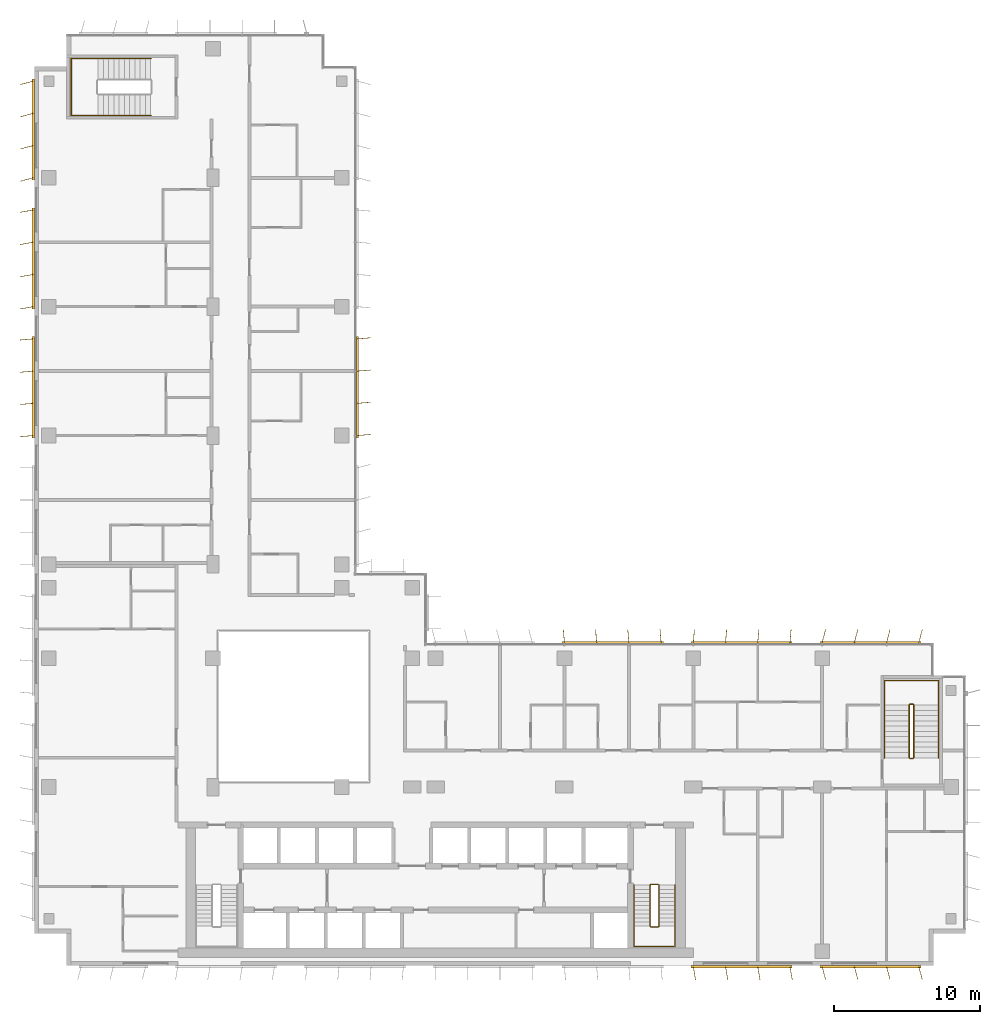
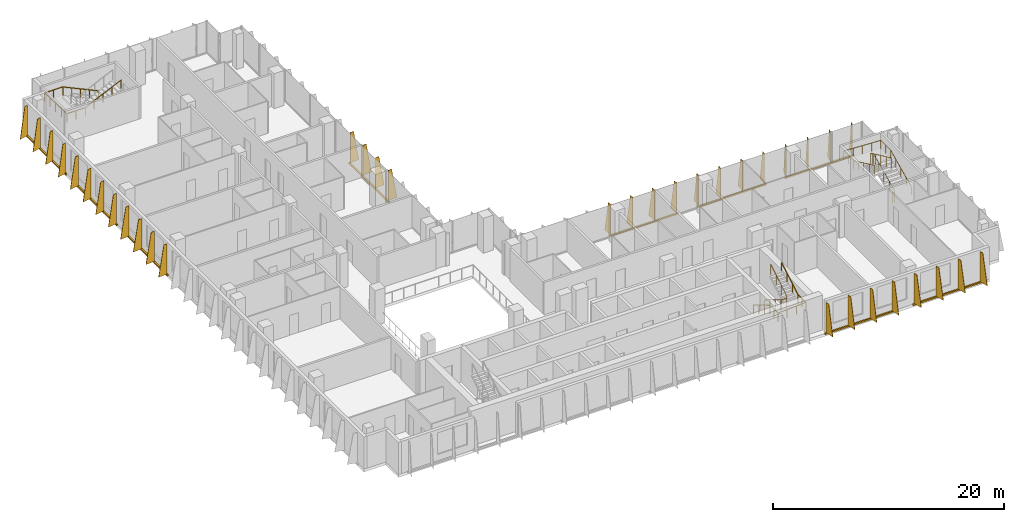
# One storey, part 20 of 21: 9 shading devices, 5 railings.
"""IFC4 building model written with IfcOpenShell, lengths in metres."""

from ifc_helpers import new_model, si_unit, direction, frame, origin, origin_2d, place, context, subcontext, project, spatial, polyline, rectangle, circle, outline, extrude, source, transform, mapped, material, layer, layer_set, type_object, element, save


model = new_model("IFC4")

# Units and contexts
model_context = context("Model", 3, precision=1e-05, world=origin(), true_north=direction((0.0, 1.0)))
body_context = subcontext(model_context, "Body", "Model", "MODEL_VIEW")
ifc_project = project(units=[si_unit("LENGTHUNIT", "METRE"), si_unit("AREAUNIT", "SQUARE_METRE"), si_unit("VOLUMEUNIT", "CUBIC_METRE"), si_unit("PLANEANGLEUNIT", "RADIAN"), si_unit("MASSUNIT", "GRAM", prefix="KILO")], contexts=[model_context])

# Site, building, storey
site_placement = place(None, origin())
site = spatial("IfcSite", under=ifc_project, at=site_placement, CompositionType="ELEMENT")
building_placement = place(site_placement, origin())
building = spatial("IfcBuilding", under=site, at=building_placement, Name="Kemantara Hotel Tower", CompositionType="ELEMENT")
storey_placement = place(building_placement, frame((0.0, 0.0, 208.0)))
storey = spatial("IfcBuildingStorey", under=building, at=storey_placement, Name="L51", CompositionType="ELEMENT", Elevation=208.0)

# Railings
ifc_material_1 = material(Name="Stainless steel balustrade", Category="steel")
railing_type_1 = type_object("IfcRailingType", Name="Stair guard 1100 mm", PredefinedType="GUARDRAIL", material=ifc_material_1)
railing_1_placement = place(storey_placement, frame((42.64990234375, 5.5, 3.699951171875)))
element("IfcRailing", 1, at=railing_1_placement, inside=storey, type_object=railing_type_1, Name="L51 ST2 stair guard 1", PredefinedType="GUARDRAIL", context=body_context, shape_type="SweptSolid", body=[
    extrude(circle(Radius=0.02392578125, at=origin_2d()), frame((0.0, 0.0, 1.076171875), z_axis=(0.0, -0.857242210791, -0.514913383045), x_axis=(1.0, 0.0, 0.0)), (0.0, 0.0, 1.0), 3.266357421875),
    extrude(circle(Radius=0.02392578125, at=origin_2d()), frame((0.0, -2.800048828125, -0.60595703125), z_axis=(-0.273343290215, -0.274683208305, -0.921863645432), x_axis=(0.708833529934, -0.705375805398, 0.0)), (0.0, 0.0, 1.0), 0.18212890625),
    extrude(circle(Radius=0.02392578125, at=origin_2d()), frame((-0.0498046875, -2.85009765625, -0.77392578125), z_axis=(-1.0, 0.0, 0.0), x_axis=(0.0, -1.0, 0.0)), (0.0, 0.0, 1.0), 0.5),
    extrude(circle(Radius=0.02392578125, at=origin_2d()), frame((-0.5498046875, -2.85009765625, -0.77392578125), z_axis=(-0.707106781187, 0.707106781187, 0.0), x_axis=(-0.707106781187, -0.707106781187, 0.0)), (0.0, 0.0, 1.0), 0.07080078125),
    extrude(circle(Radius=0.02392578125, at=origin_2d()), frame((-0.599853515625, -2.800048828125, -0.77392578125), z_axis=(0.0, 0.857242210791, -0.514913383045), x_axis=(-1.0, 0.0, 0.0)), (0.0, 0.0, 1.0), 3.266357421875),
    extrude(circle(Radius=0.02392578125, at=origin_2d()), frame((-0.599853515625, 0.0, -2.45556640625), z_axis=(0.274243871929, 0.274243871929, -0.92172696468), x_axis=(-0.707106781187, 0.707106781187, 0.0)), (0.0, 0.0, 1.0), 0.1826171875),
    extrude(circle(Radius=0.02392578125, at=origin_2d()), frame((-0.5498046875, 0.050048828125, -2.6240234375), z_axis=(1.0, 0.0, 0.0), x_axis=(0.0, 1.0, 0.0)), (0.0, 0.0, 1.0), 0.5),
    extrude(circle(Radius=0.02099609375, at=origin_2d()), origin(), (0.0, 0.0, 1.0), 1.052001953125),
    extrude(circle(Radius=0.02099609375, at=origin_2d()), frame((0.0, -0.933349609375, -0.560546875)), (0.0, 0.0, 1.0), 1.052001953125),
    extrude(circle(Radius=0.02099609375, at=origin_2d()), frame((0.0, -1.86669921875, -1.121337890625)), (0.0, 0.0, 1.0), 1.052001953125),
    extrude(circle(Radius=0.02099609375, at=origin_2d()), frame((0.0, -2.800048828125, -1.681884765625)), (0.0, 0.0, 1.0), 1.052001953125),
    extrude(circle(Radius=0.02099609375, at=origin_2d()), frame((-0.0498046875, -2.85009765625, -1.849853515625)), (0.0, 0.0, 1.0), 1.052001953125),
    extrude(circle(Radius=0.02099609375, at=origin_2d()), frame((-0.5498046875, -2.85009765625, -1.849853515625)), (0.0, 0.0, 1.0), 1.052001953125),
    extrude(circle(Radius=0.02099609375, at=origin_2d()), frame((-0.599853515625, -2.800048828125, -1.849853515625)), (0.0, 0.0, 1.0), 1.052001953125),
    extrude(circle(Radius=0.02099609375, at=origin_2d()), frame((-0.599853515625, -1.86669921875, -2.410400390625)), (0.0, 0.0, 1.0), 1.052001953125),
    extrude(circle(Radius=0.02099609375, at=origin_2d()), frame((-0.599853515625, -0.933349609375, -2.97119140625)), (0.0, 0.0, 1.0), 1.052001953125),
    extrude(circle(Radius=0.02099609375, at=origin_2d()), frame((-0.599853515625, 0.0, -3.53173828125)), (0.0, 0.0, 1.0), 1.052001953125),
    extrude(circle(Radius=0.02099609375, at=origin_2d()), frame((-0.5498046875, 0.050048828125, -3.699951171875)), (0.0, 0.0, 1.0), 1.052001953125),
    extrude(circle(Radius=0.02099609375, at=origin_2d()), frame((-0.0498046875, 0.050048828125, -3.699951171875)), (0.0, 0.0, 1.0), 1.052001953125),
])
railing_2_placement = place(storey_placement, frame((59.75, 14.199951171875, 3.699951171875)))
element("IfcRailing", 2, at=railing_2_placement, inside=storey, type_object=railing_type_1, Name="L51 ST3 stair guard 1", PredefinedType="GUARDRAIL", context=body_context, shape_type="SweptSolid", body=[
    extrude(circle(Radius=0.02392578125, at=origin_2d()), frame((0.0, 0.0, 1.076171875), z_axis=(0.0, 0.906005689286, -0.423265508849), x_axis=(-1.0, 0.0, 0.0)), (0.0, 0.0, 1.0), 3.9736328125),
    extrude(circle(Radius=0.02392578125, at=origin_2d()), frame((0.0, 3.60009765625, -0.60595703125), z_axis=(0.274582412415, 0.274582412415, -0.921525364591), x_axis=(-0.707106781187, 0.707106781187, 0.0)), (0.0, 0.0, 1.0), 0.182373046875),
    extrude(circle(Radius=0.02392578125, at=origin_2d()), frame((0.050048828125, 3.650146484375, -0.77392578125), z_axis=(1.0, 0.0, 0.0), x_axis=(0.0, 1.0, 0.0)), (0.0, 0.0, 1.0), 0.199951171875),
    extrude(circle(Radius=0.02392578125, at=origin_2d()), frame((0.25, 3.650146484375, -0.77392578125), z_axis=(0.707106781187, -0.707106781187, 0.0), x_axis=(0.707106781187, 0.707106781187, 0.0)), (0.0, 0.0, 1.0), 0.07080078125),
    extrude(circle(Radius=0.02392578125, at=origin_2d()), frame((0.300048828125, 3.60009765625, -0.77392578125), z_axis=(0.0, -0.906005689286, -0.423265508849), x_axis=(1.0, 0.0, 0.0)), (0.0, 0.0, 1.0), 3.9736328125),
    extrude(circle(Radius=0.02392578125, at=origin_2d()), frame((0.300048828125, 0.0, -2.45556640625), z_axis=(-0.274243871929, -0.274243871929, -0.92172696468), x_axis=(0.707106781187, -0.707106781187, 0.0)), (0.0, 0.0, 1.0), 0.1826171875),
    extrude(circle(Radius=0.02392578125, at=origin_2d()), frame((0.25, -0.050048828125, -2.6240234375), z_axis=(-1.0, 0.0, 0.0), x_axis=(0.0, -1.0, 0.0)), (0.0, 0.0, 1.0), 0.199951171875),
    extrude(circle(Radius=0.02099609375, at=origin_2d()), origin(), (0.0, 0.0, 1.0), 1.052001953125),
    extrude(circle(Radius=0.02099609375, at=origin_2d()), frame((0.0, 0.89990234375, -0.42041015625)), (0.0, 0.0, 1.0), 1.052001953125),
    extrude(circle(Radius=0.02099609375, at=origin_2d()), frame((0.0, 1.800048828125, -0.8408203125)), (0.0, 0.0, 1.0), 1.052001953125),
    extrude(circle(Radius=0.02099609375, at=origin_2d()), frame((0.0, 2.7001953125, -1.261474609375)), (0.0, 0.0, 1.0), 1.052001953125),
    extrude(circle(Radius=0.02099609375, at=origin_2d()), frame((0.0, 3.60009765625, -1.681884765625)), (0.0, 0.0, 1.0), 1.052001953125),
    extrude(circle(Radius=0.02099609375, at=origin_2d()), frame((0.050048828125, 3.650146484375, -1.849853515625)), (0.0, 0.0, 1.0), 1.052001953125),
    extrude(circle(Radius=0.02099609375, at=origin_2d()), frame((0.25, 3.650146484375, -1.849853515625)), (0.0, 0.0, 1.0), 1.052001953125),
    extrude(circle(Radius=0.02099609375, at=origin_2d()), frame((0.300048828125, 3.60009765625, -1.849853515625)), (0.0, 0.0, 1.0), 1.052001953125),
    extrude(circle(Radius=0.02099609375, at=origin_2d()), frame((0.300048828125, 2.7001953125, -2.270263671875)), (0.0, 0.0, 1.0), 1.052001953125),
    extrude(circle(Radius=0.02099609375, at=origin_2d()), frame((0.300048828125, 1.800048828125, -2.69091796875)), (0.0, 0.0, 1.0), 1.052001953125),
    extrude(circle(Radius=0.02099609375, at=origin_2d()), frame((0.300048828125, 0.89990234375, -3.111328125)), (0.0, 0.0, 1.0), 1.052001953125),
    extrude(circle(Radius=0.02099609375, at=origin_2d()), frame((0.300048828125, 0.0, -3.53173828125)), (0.0, 0.0, 1.0), 1.052001953125),
    extrude(circle(Radius=0.02099609375, at=origin_2d()), frame((0.25, -0.050048828125, -3.699951171875)), (0.0, 0.0, 1.0), 1.052001953125),
    extrude(circle(Radius=0.02099609375, at=origin_2d()), frame((0.050048828125, -0.050048828125, -3.699951171875)), (0.0, 0.0, 1.0), 1.052001953125),
])
railing_type_2 = type_object("IfcRailingType", Name="Stair handrail 900 mm", PredefinedType="HANDRAIL", material=ifc_material_1)
railing_3_placement = place(storey_placement, frame((40.949951171875, 5.5, 0.168212890625)))
element("IfcRailing", 3, at=railing_3_placement, inside=storey, type_object=railing_type_2, Name="L51 ST2 stair handrail 1", PredefinedType="HANDRAIL", context=body_context, shape_type="SweptSolid", body=[
    extrude(circle(Radius=0.02392578125, at=origin_2d()), frame((0.0, 0.0, 0.8759765625), z_axis=(0.0, -0.857242210791, 0.514913383045), x_axis=(1.0, 0.0, 0.0)), (0.0, 0.0, 1.0), 3.266357421875),
    extrude(circle(Radius=0.02392578125, at=origin_2d()), frame((0.0, -2.800048828125, 2.5576171875), z_axis=(0.0, -1.0, 0.0), x_axis=(1.0, 0.0, 0.0)), (0.0, 0.0, 1.0), 1.3798828125),
    extrude(circle(Radius=0.02392578125, at=origin_2d()), frame((0.0, -4.179931640625, 2.5576171875), z_axis=(0.998205573864, 0.0, 0.059880149518), x_axis=(0.0, 1.0, 0.0)), (0.0, 0.0, 1.0), 2.80517578125),
    extrude(circle(Radius=0.02392578125, at=origin_2d()), frame((2.800048828125, -4.179931640625, 2.7255859375), z_axis=(0.0, 1.0, 0.0), x_axis=(-1.0, 0.0, 0.0)), (0.0, 0.0, 1.0), 1.3798828125),
    extrude(circle(Radius=0.02392578125, at=origin_2d()), frame((2.800048828125, -2.800048828125, 2.7255859375), z_axis=(0.0, 0.857242210791, 0.514913383045), x_axis=(-1.0, 0.0, 0.0)), (0.0, 0.0, 1.0), 3.266357421875),
    extrude(circle(Radius=0.02099609375, at=origin_2d()), origin(), (0.0, 0.0, 1.0), 0.851806640625),
    extrude(circle(Radius=0.02099609375, at=origin_2d()), frame((0.0, -0.933349609375, 0.560546875)), (0.0, 0.0, 1.0), 0.851806640625),
    extrude(circle(Radius=0.02099609375, at=origin_2d()), frame((0.0, -1.86669921875, 1.121337890625)), (0.0, 0.0, 1.0), 0.851806640625),
    extrude(circle(Radius=0.02099609375, at=origin_2d()), frame((0.0, -2.800048828125, 1.681884765625)), (0.0, 0.0, 1.0), 0.851806640625),
    extrude(circle(Radius=0.02099609375, at=origin_2d()), frame((0.0, -3.489990234375, 1.681884765625)), (0.0, 0.0, 1.0), 0.851806640625),
    extrude(circle(Radius=0.02099609375, at=origin_2d()), frame((0.0, -4.179931640625, 1.681884765625)), (0.0, 0.0, 1.0), 0.851806640625),
    extrude(circle(Radius=0.02099609375, at=origin_2d()), frame((0.933349609375, -4.179931640625, 1.73779296875)), (0.0, 0.0, 1.0), 0.851806640625),
    extrude(circle(Radius=0.02099609375, at=origin_2d()), frame((1.86669921875, -4.179931640625, 1.7939453125)), (0.0, 0.0, 1.0), 0.851806640625),
    extrude(circle(Radius=0.02099609375, at=origin_2d()), frame((2.800048828125, -4.179931640625, 1.849853515625)), (0.0, 0.0, 1.0), 0.851806640625),
    extrude(circle(Radius=0.02099609375, at=origin_2d()), frame((2.800048828125, -3.489990234375, 1.849853515625)), (0.0, 0.0, 1.0), 0.851806640625),
    extrude(circle(Radius=0.02099609375, at=origin_2d()), frame((2.800048828125, -2.800048828125, 1.849853515625)), (0.0, 0.0, 1.0), 0.851806640625),
    extrude(circle(Radius=0.02099609375, at=origin_2d()), frame((2.800048828125, -1.86669921875, 2.410400390625)), (0.0, 0.0, 1.0), 0.851806640625),
    extrude(circle(Radius=0.02099609375, at=origin_2d()), frame((2.800048828125, -0.933349609375, 2.97119140625)), (0.0, 0.0, 1.0), 0.851806640625),
    extrude(circle(Radius=0.02099609375, at=origin_2d()), frame((2.800048828125, 0.0, 3.53173828125)), (0.0, 0.0, 1.0), 0.851806640625),
])
railing_4_placement = place(storey_placement, frame((61.75, 14.199951171875, 0.168212890625)))
element("IfcRailing", 4, at=railing_4_placement, inside=storey, type_object=railing_type_2, Name="L51 ST3 stair handrail 1", PredefinedType="HANDRAIL", context=body_context, shape_type="SweptSolid", body=[
    extrude(circle(Radius=0.02392578125, at=origin_2d()), frame((0.0, 0.0, 0.8759765625), z_axis=(0.0, 0.906005689286, 0.423265508849), x_axis=(-1.0, 0.0, 0.0)), (0.0, 0.0, 1.0), 3.9736328125),
    extrude(circle(Radius=0.02392578125, at=origin_2d()), frame((0.0, 3.60009765625, 2.5576171875), z_axis=(0.0, 1.0, 0.0), x_axis=(-1.0, 0.0, 0.0)), (0.0, 0.0, 1.0), 1.679931640625),
    extrude(circle(Radius=0.02392578125, at=origin_2d()), frame((0.0, 5.280029296875, 2.5576171875), z_axis=(-0.998971120908, 0.0, 0.045350849963), x_axis=(0.0, -1.0, 0.0)), (0.0, 0.0, 1.0), 3.703857421875),
    extrude(circle(Radius=0.02392578125, at=origin_2d()), frame((-3.699951171875, 5.280029296875, 2.7255859375), z_axis=(0.0, -1.0, 0.0), x_axis=(1.0, 0.0, 0.0)), (0.0, 0.0, 1.0), 1.679931640625),
    extrude(circle(Radius=0.02392578125, at=origin_2d()), frame((-3.699951171875, 3.60009765625, 2.7255859375), z_axis=(0.0, -0.906005689286, 0.423265508849), x_axis=(1.0, 0.0, 0.0)), (0.0, 0.0, 1.0), 3.9736328125),
    extrude(circle(Radius=0.02099609375, at=origin_2d()), origin(), (0.0, 0.0, 1.0), 0.851806640625),
    extrude(circle(Radius=0.02099609375, at=origin_2d()), frame((0.0, 0.89990234375, 0.42041015625)), (0.0, 0.0, 1.0), 0.851806640625),
    extrude(circle(Radius=0.02099609375, at=origin_2d()), frame((0.0, 1.800048828125, 0.8408203125)), (0.0, 0.0, 1.0), 0.851806640625),
    extrude(circle(Radius=0.02099609375, at=origin_2d()), frame((0.0, 2.7001953125, 1.261474609375)), (0.0, 0.0, 1.0), 0.851806640625),
    extrude(circle(Radius=0.02099609375, at=origin_2d()), frame((0.0, 3.60009765625, 1.681884765625)), (0.0, 0.0, 1.0), 0.851806640625),
    extrude(circle(Radius=0.02099609375, at=origin_2d()), frame((0.0, 4.43994140625, 1.681884765625)), (0.0, 0.0, 1.0), 0.851806640625),
    extrude(circle(Radius=0.02099609375, at=origin_2d()), frame((0.0, 5.280029296875, 1.681884765625)), (0.0, 0.0, 1.0), 0.851806640625),
    extrude(circle(Radius=0.02099609375, at=origin_2d()), frame((-0.925048828125, 5.280029296875, 1.723876953125)), (0.0, 0.0, 1.0), 0.851806640625),
    extrude(circle(Radius=0.02099609375, at=origin_2d()), frame((-1.85009765625, 5.280029296875, 1.765869140625)), (0.0, 0.0, 1.0), 0.851806640625),
    extrude(circle(Radius=0.02099609375, at=origin_2d()), frame((-2.77490234375, 5.280029296875, 1.807861328125)), (0.0, 0.0, 1.0), 0.851806640625),
    extrude(circle(Radius=0.02099609375, at=origin_2d()), frame((-3.699951171875, 5.280029296875, 1.849853515625)), (0.0, 0.0, 1.0), 0.851806640625),
    extrude(circle(Radius=0.02099609375, at=origin_2d()), frame((-3.699951171875, 4.43994140625, 1.849853515625)), (0.0, 0.0, 1.0), 0.851806640625),
    extrude(circle(Radius=0.02099609375, at=origin_2d()), frame((-3.699951171875, 3.60009765625, 1.849853515625)), (0.0, 0.0, 1.0), 0.851806640625),
    extrude(circle(Radius=0.02099609375, at=origin_2d()), frame((-3.699951171875, 2.7001953125, 2.270263671875)), (0.0, 0.0, 1.0), 0.851806640625),
    extrude(circle(Radius=0.02099609375, at=origin_2d()), frame((-3.699951171875, 1.800048828125, 2.69091796875)), (0.0, 0.0, 1.0), 0.851806640625),
    extrude(circle(Radius=0.02099609375, at=origin_2d()), frame((-3.699951171875, 0.89990234375, 3.111328125)), (0.0, 0.0, 1.0), 0.851806640625),
    extrude(circle(Radius=0.02099609375, at=origin_2d()), frame((-3.699951171875, 0.0, 3.53173828125)), (0.0, 0.0, 1.0), 0.851806640625),
])
railing_5_placement = place(storey_placement, frame((7.949951171875, 61.949951171875, 0.168212890625)))
element("IfcRailing", 5, at=railing_5_placement, inside=storey, type_object=railing_type_2, Name="L51 ST4 stair handrail 1", PredefinedType="HANDRAIL", context=body_context, shape_type="SweptSolid", body=[
    extrude(circle(Radius=0.02392578125, at=origin_2d()), frame((0.0, 0.0, 0.8759765625), z_axis=(-0.905994681025, 0.0, 0.423289071386), x_axis=(0.0, -1.0, 0.0)), (0.0, 0.0, 1.0), 3.973388671875),
    extrude(circle(Radius=0.02392578125, at=origin_2d()), frame((-3.599853515625, 0.0, 2.5576171875), z_axis=(-1.0, 0.0, 0.0), x_axis=(0.0, -1.0, 0.0)), (0.0, 0.0, 1.0), 1.830078125),
    extrude(circle(Radius=0.02392578125, at=origin_2d()), frame((-5.429931640625, 0.0, 2.5576171875), z_axis=(0.0, -0.999073776461, 0.043030096294), x_axis=(1.0, 0.0, 0.0)), (0.0, 0.0, 1.0), 3.903564453125),
    extrude(circle(Radius=0.02392578125, at=origin_2d()), frame((-5.429931640625, -3.89990234375, 2.7255859375), z_axis=(1.0, 0.0, 0.0), x_axis=(0.0, 1.0, 0.0)), (0.0, 0.0, 1.0), 1.830078125),
    extrude(circle(Radius=0.02392578125, at=origin_2d()), frame((-3.599853515625, -3.89990234375, 2.7255859375), z_axis=(0.905994681025, 0.0, 0.423289071386), x_axis=(0.0, 1.0, 0.0)), (0.0, 0.0, 1.0), 3.973388671875),
    extrude(circle(Radius=0.02099609375, at=origin_2d()), origin(), (0.0, 0.0, 1.0), 0.851806640625),
    extrude(circle(Radius=0.02099609375, at=origin_2d()), frame((-0.89990234375, 0.0, 0.42041015625)), (0.0, 0.0, 1.0), 0.851806640625),
    extrude(circle(Radius=0.02099609375, at=origin_2d()), frame((-1.7998046875, 0.0, 0.8408203125)), (0.0, 0.0, 1.0), 0.851806640625),
    extrude(circle(Radius=0.02099609375, at=origin_2d()), frame((-2.699951171875, 0.0, 1.261474609375)), (0.0, 0.0, 1.0), 0.851806640625),
    extrude(circle(Radius=0.02099609375, at=origin_2d()), frame((-3.599853515625, 0.0, 1.681884765625)), (0.0, 0.0, 1.0), 0.851806640625),
    extrude(circle(Radius=0.02099609375, at=origin_2d()), frame((-4.514892578125, 0.0, 1.681884765625)), (0.0, 0.0, 1.0), 0.851806640625),
    extrude(circle(Radius=0.02099609375, at=origin_2d()), frame((-5.429931640625, 0.0, 1.681884765625)), (0.0, 0.0, 1.0), 0.851806640625),
    extrude(circle(Radius=0.02099609375, at=origin_2d()), frame((-5.429931640625, -0.97509765625, 1.723876953125)), (0.0, 0.0, 1.0), 0.851806640625),
    extrude(circle(Radius=0.02099609375, at=origin_2d()), frame((-5.429931640625, -1.949951171875, 1.765869140625)), (0.0, 0.0, 1.0), 0.851806640625),
    extrude(circle(Radius=0.02099609375, at=origin_2d()), frame((-5.429931640625, -2.9248046875, 1.807861328125)), (0.0, 0.0, 1.0), 0.851806640625),
    extrude(circle(Radius=0.02099609375, at=origin_2d()), frame((-5.429931640625, -3.89990234375, 1.849853515625)), (0.0, 0.0, 1.0), 0.851806640625),
    extrude(circle(Radius=0.02099609375, at=origin_2d()), frame((-4.514892578125, -3.89990234375, 1.849853515625)), (0.0, 0.0, 1.0), 0.851806640625),
    extrude(circle(Radius=0.02099609375, at=origin_2d()), frame((-3.599853515625, -3.89990234375, 1.849853515625)), (0.0, 0.0, 1.0), 0.851806640625),
    extrude(circle(Radius=0.02099609375, at=origin_2d()), frame((-2.699951171875, -3.89990234375, 2.270263671875)), (0.0, 0.0, 1.0), 0.851806640625),
    extrude(circle(Radius=0.02099609375, at=origin_2d()), frame((-1.7998046875, -3.89990234375, 2.69091796875)), (0.0, 0.0, 1.0), 0.851806640625),
    extrude(circle(Radius=0.02099609375, at=origin_2d()), frame((-0.89990234375, -3.89990234375, 3.111328125)), (0.0, 0.0, 1.0), 0.851806640625),
    extrude(circle(Radius=0.02099609375, at=origin_2d()), frame((0.0, -3.89990234375, 3.53173828125)), (0.0, 0.0, 1.0), 0.851806640625),
])

# Shading devices
ifc_material_2 = material(Name="Perforated aluminium plate 4 mm bronze anodised", Category="aluminium")
ifc_layer_1 = layer(ifc_material_2, 0.0400390625)
ifc_layer_set_1 = layer_set([ifc_layer_1], Name="Perforated aluminium plate 4 mm bronze anodised")
shading_device_type_1 = type_object("IfcShadingDeviceType", Name="SCREEN FIN CASSETTE, 4 BLADES AT -5.0 DEG, 3200 HIGH", PredefinedType="USERDEFINED", material=ifc_layer_set_1)
shared_shape_1 = source(origin(), body_context, "Body", "SweptSolid", [
    extrude(rectangle(XDim=6.89990234375, YDim=0.14990234375, at=origin_2d()), frame((3.300048828125, -0.074951171875, -0.14990234375), z_axis=(0.0, 0.0, 1.0), x_axis=(1.0, 0.0, 0.0)), (0.0, 0.0, 1.0), 0.14990234375),
    extrude(outline(polyline([(0.0, 0.0), (0.89990234375, 0.0), (0.35009765625, 3.199951171875), (0.0, 3.199951171875), (0.0, 0.0)])), frame((0.02001953125, -0.07666015625, 0.0), z_axis=(-0.996376129781, 0.085056498884, 0.0), x_axis=(-0.085056498884, -0.996376129781, 0.0)), (0.0, 0.0, 1.0), 0.040283203125),
    extrude(outline(polyline([(0.0, 0.0), (0.89990234375, 0.0), (0.35009765625, 3.199951171875), (0.0, 3.199951171875), (0.0, 0.0)])), frame((2.219970703125, -0.07666015625, 0.0), z_axis=(-0.996331773833, 0.085574508182, 0.0), x_axis=(-0.085574508182, -0.996331773833, 0.0)), (0.0, 0.0, 1.0), 0.0400390625),
    extrude(outline(polyline([(0.0, 0.0), (0.89990234375, 0.0), (0.35009765625, 3.199951171875), (0.0, 3.199951171875), (0.0, 0.0)])), frame((4.419921875, -0.07666015625, 0.0), z_axis=(-0.996331773833, 0.085574508182, 0.0), x_axis=(-0.085574508182, -0.996331773833, 0.0)), (0.0, 0.0, 1.0), 0.0400390625),
    extrude(outline(polyline([(0.0, 0.0), (0.89990234375, 0.0), (0.35009765625, 3.199951171875), (0.0, 3.199951171875), (0.0, 0.0)])), frame((6.619873046875, -0.07666015625, 0.0), z_axis=(-0.996331773833, 0.085574508182, 0.0), x_axis=(-0.085574508182, -0.996331773833, 0.0)), (0.0, 0.0, 1.0), 0.0400390625),
])
shading_device_1_placement = place(storey_placement, frame((51.60009765625, 22.0, 0.10009765625), z_axis=(0.0, 0.0, 1.0), x_axis=(-1.0, 0.0, 0.0)))
element("IfcShadingDevice", 6, at=shading_device_1_placement, inside=storey, type_object=shading_device_type_1, Name="SCREEN FIN CASSETTE L51 T3-R14-2", ObjectType="SCREEN FIN", PredefinedType="USERDEFINED", context=body_context, shape_type="MappedRepresentation", body=[
    mapped(shared_shape_1, transform((0.0, 0.0, 0.0))),
])
ifc_layer_2 = layer(ifc_material_2, 0.0400390625)
ifc_layer_set_2 = layer_set([ifc_layer_2], Name="Perforated aluminium plate 4 mm bronze anodised")
shading_device_type_2 = type_object("IfcShadingDeviceType", Name="SCREEN FIN CASSETTE, 4 BLADES AT +5.0 DEG, 3200 HIGH", PredefinedType="USERDEFINED", material=ifc_layer_set_2)
shared_shape_2 = source(origin(), body_context, "Body", "SweptSolid", [
    extrude(rectangle(XDim=6.89990234375, YDim=0.14990234375, at=origin_2d()), frame((3.300048828125, -0.074951171875, -0.14990234375), z_axis=(0.0, 0.0, 1.0), x_axis=(1.0, 0.0, 0.0)), (0.0, 0.0, 1.0), 0.14990234375),
    extrude(outline(polyline([(0.0, 0.0), (0.89990234375, 0.0), (0.35009765625, 3.199951171875), (0.0, 3.199951171875), (0.0, 0.0)])), frame((0.02001953125, -0.0732421875, 0.0), z_axis=(-0.996376129781, -0.085056498884, 0.0), x_axis=(0.085056498884, -0.996376129781, 0.0)), (0.0, 0.0, 1.0), 0.040283203125),
    extrude(outline(polyline([(0.0, 0.0), (0.89990234375, 0.0), (0.35009765625, 3.199951171875), (0.0, 3.199951171875), (0.0, 0.0)])), frame((2.219970703125, -0.0732421875, 0.0), z_axis=(-0.996331773833, -0.085574508182, 0.0), x_axis=(0.085574508182, -0.996331773833, 0.0)), (0.0, 0.0, 1.0), 0.0400390625),
    extrude(outline(polyline([(0.0, 0.0), (0.89990234375, 0.0), (0.35009765625, 3.199951171875), (0.0, 3.199951171875), (0.0, 0.0)])), frame((4.419921875, -0.0732421875, 0.0), z_axis=(-0.996331773833, -0.085574508182, 0.0), x_axis=(0.085574508182, -0.996331773833, 0.0)), (0.0, 0.0, 1.0), 0.0400390625),
    extrude(outline(polyline([(0.0, 0.0), (0.89990234375, 0.0), (0.35009765625, 3.199951171875), (0.0, 3.199951171875), (0.0, 0.0)])), frame((6.619873046875, -0.0732421875, 0.0), z_axis=(-0.996331773833, -0.085574508182, 0.0), x_axis=(0.085574508182, -0.996331773833, 0.0)), (0.0, 0.0, 1.0), 0.0400390625),
])
for number, where, z_axis, x_axis, name in (
    (7, (0.0, 42.800048828125, 0.10009765625), (0.0, 0.0, 1.0), (0.0, -1.0, 0.0), "SCREEN FIN CASSETTE L51 T3-R05-3"),
    (8, (42.800048828125, 22.0, 0.10009765625), (0.0, 0.0, 1.0), (-1.0, 0.0, 0.0), "SCREEN FIN CASSETTE L51 T3-R14-3"),
    (9, (22.0, 36.199951171875, 0.10009765625), (0.0, 0.0, 1.0), (0.0, 1.0, 0.0), "SCREEN FIN CASSETTE L51 T3-R17-2"),
):
    element("IfcShadingDevice", number, at=place(storey_placement, frame(where, z_axis=z_axis, x_axis=x_axis)), inside=storey, type_object=shading_device_type_2, Name=name, ObjectType="SCREEN FIN", PredefinedType="USERDEFINED", context=body_context, shape_type="MappedRepresentation", body=[
        mapped(shared_shape_2, transform((0.0, 0.0, 0.0))),
    ])
ifc_layer_3 = layer(ifc_material_2, 0.0400390625)
ifc_layer_set_3 = layer_set([ifc_layer_3], Name="Perforated aluminium plate 4 mm bronze anodised")
shading_device_type_3 = type_object("IfcShadingDeviceType", Name="SCREEN FIN CASSETTE, 4 BLADES AT +10.0 DEG, 3200 HIGH", PredefinedType="USERDEFINED", material=ifc_layer_set_3)
shared_shape_3 = source(origin(), body_context, "Body", "SweptSolid", [
    extrude(rectangle(XDim=6.89990234375, YDim=0.14990234375, at=origin_2d()), frame((3.300048828125, -0.074951171875, -0.14990234375), z_axis=(0.0, 0.0, 1.0), x_axis=(1.0, 0.0, 0.0)), (0.0, 0.0, 1.0), 0.14990234375),
    extrude(outline(polyline([(0.0, 0.0), (0.89990234375, 0.0), (0.35009765625, 3.199951171875), (0.0, 3.199951171875), (0.0, 0.0)])), frame((0.019775390625, -0.071533203125, 0.0), z_axis=(-0.985389793052, -0.170314285219, 0.0), x_axis=(0.170314285219, -0.985389793052, 0.0)), (0.0, 0.0, 1.0), 0.0400390625),
    extrude(outline(polyline([(0.0, 0.0), (0.89990234375, 0.0), (0.35009765625, 3.199951171875), (0.0, 3.199951171875), (0.0, 0.0)])), frame((2.2197265625, -0.071533203125, 0.0), z_axis=(-0.98521175482, -0.171341174751, 0.0), x_axis=(0.171341174751, -0.98521175482, 0.0)), (0.0, 0.0, 1.0), 0.039794921875),
    extrude(outline(polyline([(0.0, 0.0), (0.89990234375, 0.0), (0.35009765625, 3.199951171875), (0.0, 3.199951171875), (0.0, 0.0)])), frame((4.419677734375, -0.071533203125, 0.0), z_axis=(-0.98521175482, -0.171341174751, 0.0), x_axis=(0.171341174751, -0.98521175482, 0.0)), (0.0, 0.0, 1.0), 0.039794921875),
    extrude(outline(polyline([(0.0, 0.0), (0.89990234375, 0.0), (0.35009765625, 3.199951171875), (0.0, 3.199951171875), (0.0, 0.0)])), frame((6.61962890625, -0.071533203125, 0.0), z_axis=(-0.98521175482, -0.171341174751, 0.0), x_axis=(0.171341174751, -0.98521175482, 0.0)), (0.0, 0.0, 1.0), 0.039794921875),
])
for number, where, z_axis, x_axis, name in (
    (10, (0.0, 51.60009765625, 0.10009765625), (0.0, 0.0, 1.0), (0.0, -1.0, 0.0), "SCREEN FIN CASSETTE L51 T3-R05-2"),
    (11, (45.0, 0.0, 0.10009765625), (0.0, 0.0, 1.0), (1.0, 0.0, 0.0), "SCREEN FIN CASSETTE L51 T3-R08-6"),
):
    element("IfcShadingDevice", number, at=place(storey_placement, frame(where, z_axis=z_axis, x_axis=x_axis)), inside=storey, type_object=shading_device_type_3, Name=name, ObjectType="SCREEN FIN", PredefinedType="USERDEFINED", context=body_context, shape_type="MappedRepresentation", body=[
        mapped(shared_shape_3, transform((0.0, 0.0, 0.0))),
    ])
ifc_layer_4 = layer(ifc_material_2, 0.0400390625)
ifc_layer_set_4 = layer_set([ifc_layer_4], Name="Perforated aluminium plate 4 mm bronze anodised")
shading_device_type_4 = type_object("IfcShadingDeviceType", Name="SCREEN FIN CASSETTE, 4 BLADES AT +15.0 DEG, 3200 HIGH", PredefinedType="USERDEFINED", material=ifc_layer_set_4)
shared_shape_4 = source(origin(), body_context, "Body", "SweptSolid", [
    extrude(rectangle(XDim=6.89990234375, YDim=0.14990234375, at=origin_2d()), frame((3.300048828125, -0.074951171875, -0.14990234375), z_axis=(0.0, 0.0, 1.0), x_axis=(1.0, 0.0, 0.0)), (0.0, 0.0, 1.0), 0.14990234375),
    extrude(outline(polyline([(0.0, 0.0), (0.89990234375, 0.0), (0.35009765625, 3.199951171875), (0.0, 3.199951171875), (0.0, 0.0)])), frame((0.019287109375, -0.06982421875, 0.0), z_axis=(-0.966437683387, -0.256901156343, 0.0), x_axis=(0.256901156343, -0.966437683387, 0.0)), (0.0, 0.0, 1.0), 0.039794921875),
    extrude(outline(polyline([(0.0, 0.0), (0.89990234375, 0.0), (0.35009765625, 3.199951171875), (0.0, 3.199951171875), (0.0, 0.0)])), frame((2.21923828125, -0.06982421875, 0.0), z_axis=(-0.966437683387, -0.256901156343, 0.0), x_axis=(0.256901156343, -0.966437683387, 0.0)), (0.0, 0.0, 1.0), 0.039794921875),
    extrude(outline(polyline([(0.0, 0.0), (0.89990234375, 0.0), (0.35009765625, 3.199951171875), (0.0, 3.199951171875), (0.0, 0.0)])), frame((4.41943359375, -0.06982421875, 0.0), z_axis=(-0.966837822169, -0.255391122837, 0.0), x_axis=(0.255391122837, -0.966837822169, 0.0)), (0.0, 0.0, 1.0), 0.0400390625),
    extrude(outline(polyline([(0.0, 0.0), (0.89990234375, 0.0), (0.35009765625, 3.199951171875), (0.0, 3.199951171875), (0.0, 0.0)])), frame((6.619384765625, -0.06982421875, 0.0), z_axis=(-0.966837822169, -0.255391122837, 0.0), x_axis=(0.255391122837, -0.966837822169, 0.0)), (0.0, 0.0, 1.0), 0.0400390625),
])
for number, where, z_axis, x_axis, name in (
    (12, (0.0, 60.39990234375, 0.10009765625), (0.0, 0.0, 1.0), (0.0, -1.0, 0.0), "SCREEN FIN CASSETTE L51 T3-R05-1"),
    (13, (53.800048828125, 0.0, 0.10009765625), (0.0, 0.0, 1.0), (1.0, 0.0, 0.0), "SCREEN FIN CASSETTE L51 T3-R08-7"),
):
    element("IfcShadingDevice", number, at=place(storey_placement, frame(where, z_axis=z_axis, x_axis=x_axis)), inside=storey, type_object=shading_device_type_4, Name=name, ObjectType="SCREEN FIN", PredefinedType="USERDEFINED", context=body_context, shape_type="MappedRepresentation", body=[
        mapped(shared_shape_4, transform((0.0, 0.0, 0.0))),
    ])
ifc_layer_5 = layer(ifc_material_2, 0.0400390625)
ifc_layer_set_5 = layer_set([ifc_layer_5], Name="Perforated aluminium plate 4 mm bronze anodised")
shading_device_type_5 = type_object("IfcShadingDeviceType", Name="SCREEN FIN CASSETTE, 4 BLADES AT -15.0 DEG, 3200 HIGH", PredefinedType="USERDEFINED", material=ifc_layer_set_5)
shared_shape_5 = source(origin(), body_context, "Body", "SweptSolid", [
    extrude(rectangle(XDim=6.89990234375, YDim=0.14990234375, at=origin_2d()), frame((3.300048828125, -0.074951171875, -0.14990234375), z_axis=(0.0, 0.0, 1.0), x_axis=(1.0, 0.0, 0.0)), (0.0, 0.0, 1.0), 0.14990234375),
    extrude(outline(polyline([(0.0, 0.0), (0.89990234375, 0.0), (0.35009765625, 3.199951171875), (0.0, 3.199951171875), (0.0, 0.0)])), frame((0.019287109375, -0.080078125, 0.0), z_axis=(-0.966437683387, 0.256901156343, 0.0), x_axis=(-0.256901156343, -0.966437683387, 0.0)), (0.0, 0.0, 1.0), 0.039794921875),
    extrude(outline(polyline([(0.0, 0.0), (0.89990234375, 0.0), (0.35009765625, 3.199951171875), (0.0, 3.199951171875), (0.0, 0.0)])), frame((2.21923828125, -0.080078125, 0.0), z_axis=(-0.966437683387, 0.256901156343, 0.0), x_axis=(-0.256901156343, -0.966437683387, 0.0)), (0.0, 0.0, 1.0), 0.039794921875),
    extrude(outline(polyline([(0.0, 0.0), (0.89990234375, 0.0), (0.35009765625, 3.199951171875), (0.0, 3.199951171875), (0.0, 0.0)])), frame((4.41943359375, -0.080078125, 0.0), z_axis=(-0.966837822169, 0.255391122837, 0.0), x_axis=(-0.255391122837, -0.966837822169, 0.0)), (0.0, 0.0, 1.0), 0.0400390625),
    extrude(outline(polyline([(0.0, 0.0), (0.89990234375, 0.0), (0.35009765625, 3.199951171875), (0.0, 3.199951171875), (0.0, 0.0)])), frame((6.619384765625, -0.080078125, 0.0), z_axis=(-0.966837822169, 0.255391122837, 0.0), x_axis=(-0.255391122837, -0.966837822169, 0.0)), (0.0, 0.0, 1.0), 0.0400390625),
])
shading_device_2_placement = place(storey_placement, frame((60.39990234375, 22.0, 0.10009765625), z_axis=(0.0, 0.0, 1.0), x_axis=(-1.0, 0.0, 0.0)))
element("IfcShadingDevice", 14, at=shading_device_2_placement, inside=storey, type_object=shading_device_type_5, Name="SCREEN FIN CASSETTE L51 T3-R14-1", ObjectType="SCREEN FIN", PredefinedType="USERDEFINED", context=body_context, shape_type="MappedRepresentation", body=[
    mapped(shared_shape_5, transform((0.0, 0.0, 0.0))),
])

save(model, "model.ifc")
